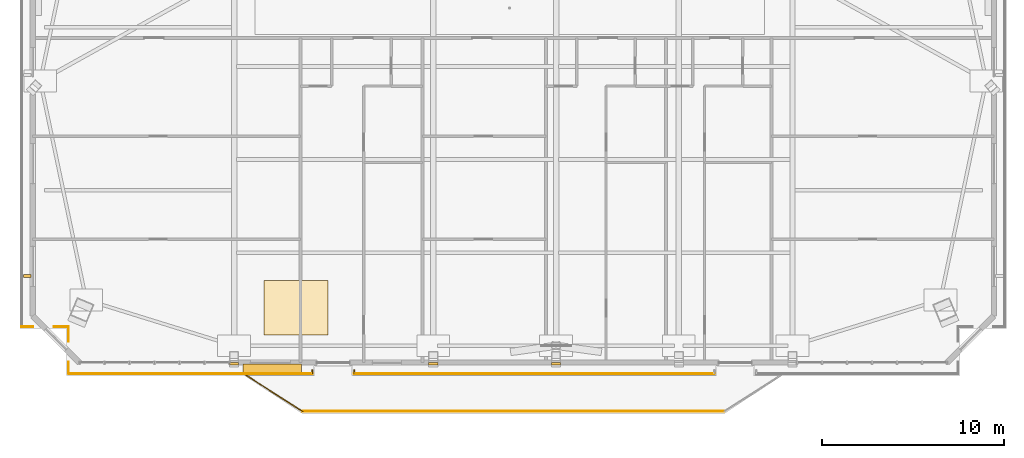
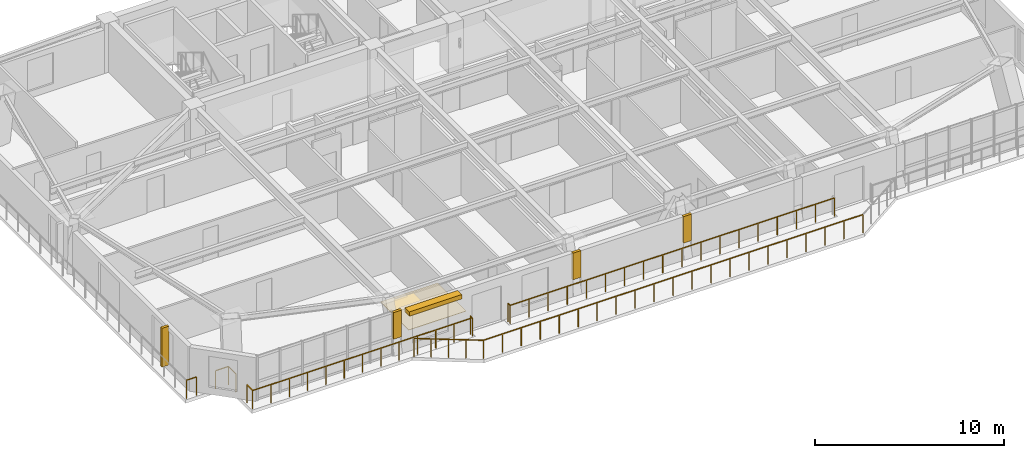
# One storey, part 14 of 18: 10 railings, 4 coverings, 2 shading devices.
"""IFC4 building model written with IfcOpenShell, lengths in metres."""

from ifc_helpers import new_model, si_unit, direction, frame, origin, origin_2d, place, context, subcontext, project, spatial, polyline, rectangle, outline, extrude, source, transform, mapped, material, layer, layer_set, type_object, element, save


model = new_model("IFC4")

# Units and contexts
model_context = context("Model", 3, precision=1e-05, world=origin(), true_north=direction((0.0, 1.0)))
body_context = subcontext(model_context, "Body", "Model", "MODEL_VIEW")
ifc_project = project(units=[si_unit("LENGTHUNIT", "METRE"), si_unit("AREAUNIT", "SQUARE_METRE"), si_unit("VOLUMEUNIT", "CUBIC_METRE"), si_unit("PLANEANGLEUNIT", "RADIAN"), si_unit("MASSUNIT", "GRAM", prefix="KILO")], contexts=[model_context])

# Site, building, storey
site_placement = place(None, origin())
site = spatial("IfcSite", under=ifc_project, at=site_placement, CompositionType="ELEMENT")
building_placement = place(site_placement, origin())
building = spatial("IfcBuilding", under=site, at=building_placement, Name="Giltprow Tower", CompositionType="ELEMENT")
storey_placement = place(building_placement, frame((0.0, 0.0, 265.5)))
storey = spatial("IfcBuildingStorey", under=building, at=storey_placement, Name="L68", CompositionType="ELEMENT", Elevation=265.5)

# Coverings
ifc_material_1 = material(Name="Engineered oak", Category="wood")
ifc_layer_1 = layer(ifc_material_1, 0.02490234375, Name="Engineered oak")
ifc_layer_set_1 = layer_set([ifc_layer_1], Name="Engineered oak")
covering_type_1 = type_object("IfcCoveringType", Name="COV-FLR-TIMBER", PredefinedType="FLOORING", material=ifc_layer_set_1)
covering_1_placement = place(storey_placement, origin())
element("IfcCovering", 1, at=covering_1_placement, inside=storey, type_object=covering_type_1, Name="L68 Residence Oak Parquet Flooring", PredefinedType="FLOORING", context=body_context, shape_type="SweptSolid", body=[
    extrude(outline(polyline([(21.5, 17.575927734375), (25.0, 17.575927734375), (25.0, 20.575927734375), (21.5, 20.575927734375), (21.5, 17.575927734375)])), origin(), (0.0, 0.0, 1.0), 0.02490234375),
])
ifc_material_2 = material(Name="Anodized bronze", Category="metal")
ifc_layer_2 = layer(ifc_material_2, 0.0400390625, Name="Anodized bronze")
ifc_layer_set_2 = layer_set([ifc_layer_2], Name="Anodized bronze")
covering_type_2 = type_object("IfcCoveringType", Name="COV-SOFFIT-BRONZE", PredefinedType="CLADDING", material=ifc_layer_set_2)
covering_2_placement = place(storey_placement, frame((0.0, 0.0, 1.10009765625)))
element("IfcCovering", 2, at=covering_2_placement, inside=storey, type_object=covering_type_2, Name="L68 Setback Pier Closure Cladding S-1", PredefinedType="CLADDING", context=body_context, shape_type="SweptSolid", body=[
    extrude(outline(polyline([(19.60009765625, 15.905029296875), (20.10009765625, 15.905029296875), (20.10009765625, 16.06494140625), (19.60009765625, 16.06494140625), (19.60009765625, 15.905029296875)])), origin(), (0.0, 0.0, 1.0), 1.71484375),
])
covering_3_placement = place(storey_placement, frame((0.0, 0.0, 1.10009765625)))
element("IfcCovering", 3, at=covering_3_placement, inside=storey, type_object=covering_type_2, Name="L68 Setback Pier Closure Cladding S-2", PredefinedType="CLADDING", context=body_context, shape_type="SweptSolid", body=[
    extrude(outline(polyline([(30.550048828125, 15.905029296875), (31.050048828125, 15.905029296875), (31.050048828125, 16.06494140625), (30.550048828125, 16.06494140625), (30.550048828125, 15.905029296875)])), origin(), (0.0, 0.0, 1.0), 1.71484375),
])
covering_4_placement = place(storey_placement, frame((0.0, 0.0, 1.10009765625)))
element("IfcCovering", 4, at=covering_4_placement, inside=storey, type_object=covering_type_2, Name="L68 Setback Pier Closure Cladding S-3", PredefinedType="CLADDING", context=body_context, shape_type="SweptSolid", body=[
    extrude(outline(polyline([(37.300048828125, 15.905029296875), (37.800048828125, 15.905029296875), (37.800048828125, 16.06494140625), (37.300048828125, 16.06494140625), (37.300048828125, 15.905029296875)])), origin(), (0.0, 0.0, 1.0), 1.71484375),
])

# Railings
railing_type = type_object("IfcRailingType", Name="RAIL-BALC-GUARD-1200", PredefinedType="BALUSTRADE", material=ifc_material_2)
railing_1_placement = place(storey_placement, frame((20.52001953125, 15.344970703125, 0.0)))
element("IfcRailing", 5, at=railing_1_placement, inside=storey, type_object=railing_type, Name="L68 Waterfront Balcony Balustrade Seg 1", PredefinedType="BALUSTRADE", context=body_context, shape_type="SweptSolid", body=[
    extrude(rectangle(XDim=0.048095703125, YDim=0.048095703125, at=origin_2d()), frame((0.0, 0.0, 1.17578125), z_axis=(0.84277487735, -0.538266203757, 0.0), x_axis=(0.538266203757, 0.84277487735, 0.0)), (0.0, 0.0, 1.0), 3.678466796875),
    extrude(rectangle(XDim=0.0419921875, YDim=0.0419921875, at=origin_2d()), origin(), (0.0, 0.0, 1.0), 1.15185546875),
    extrude(rectangle(XDim=0.0419921875, YDim=0.0419921875, at=origin_2d()), frame((0.77490234375, -0.4951171875, 0.0)), (0.0, 0.0, 1.0), 1.15185546875),
    extrude(rectangle(XDim=0.0419921875, YDim=0.0419921875, at=origin_2d()), frame((1.550048828125, -0.989990234375, 0.0)), (0.0, 0.0, 1.0), 1.15185546875),
    extrude(rectangle(XDim=0.0419921875, YDim=0.0419921875, at=origin_2d()), frame((2.3251953125, -1.48486328125, 0.0)), (0.0, 0.0, 1.0), 1.15185546875),
    extrude(rectangle(XDim=0.0419921875, YDim=0.0419921875, at=origin_2d()), frame((3.10009765625, -1.97998046875, 0.0)), (0.0, 0.0, 1.0), 1.15185546875),
])
railing_2_placement = place(storey_placement, frame((23.6201171875, 13.364990234375, 0.0)))
element("IfcRailing", 6, at=railing_2_placement, inside=storey, type_object=railing_type, Name="L68 Waterfront Balcony Balustrade Seg 2", PredefinedType="BALUSTRADE", context=body_context, shape_type="SweptSolid", body=[
    extrude(rectangle(XDim=0.048095703125, YDim=0.048095703125, at=origin_2d()), frame((0.0, 0.0, 1.17578125), z_axis=(1.0, 0.0, 0.0), x_axis=(0.0, 1.0, 0.0)), (0.0, 0.0, 1.0), 23.159912109375),
    extrude(rectangle(XDim=0.0419921875, YDim=0.0419921875, at=origin_2d()), origin(), (0.0, 0.0, 1.0), 1.15185546875),
    extrude(rectangle(XDim=0.0419921875, YDim=0.0419921875, at=origin_2d()), frame((1.157958984375, 0.0, 0.0)), (0.0, 0.0, 1.0), 1.15185546875),
    extrude(rectangle(XDim=0.0419921875, YDim=0.0419921875, at=origin_2d()), frame((2.31591796875, 0.0, 0.0)), (0.0, 0.0, 1.0), 1.15185546875),
    extrude(rectangle(XDim=0.0419921875, YDim=0.0419921875, at=origin_2d()), frame((3.473876953125, 0.0, 0.0)), (0.0, 0.0, 1.0), 1.15185546875),
    extrude(rectangle(XDim=0.0419921875, YDim=0.0419921875, at=origin_2d()), frame((4.632080078125, 0.0, 0.0)), (0.0, 0.0, 1.0), 1.15185546875),
    extrude(rectangle(XDim=0.0419921875, YDim=0.0419921875, at=origin_2d()), frame((5.7900390625, 0.0, 0.0)), (0.0, 0.0, 1.0), 1.15185546875),
    extrude(rectangle(XDim=0.0419921875, YDim=0.0419921875, at=origin_2d()), frame((6.947998046875, 0.0, 0.0)), (0.0, 0.0, 1.0), 1.15185546875),
    extrude(rectangle(XDim=0.0419921875, YDim=0.0419921875, at=origin_2d()), frame((8.10595703125, 0.0, 0.0)), (0.0, 0.0, 1.0), 1.15185546875),
    extrude(rectangle(XDim=0.0419921875, YDim=0.0419921875, at=origin_2d()), frame((9.263916015625, 0.0, 0.0)), (0.0, 0.0, 1.0), 1.15185546875),
    extrude(rectangle(XDim=0.0419921875, YDim=0.0419921875, at=origin_2d()), frame((10.421875, 0.0, 0.0)), (0.0, 0.0, 1.0), 1.15185546875),
    extrude(rectangle(XDim=0.0419921875, YDim=0.0419921875, at=origin_2d()), frame((11.580078125, 0.0, 0.0)), (0.0, 0.0, 1.0), 1.15185546875),
    extrude(rectangle(XDim=0.0419921875, YDim=0.0419921875, at=origin_2d()), frame((12.738037109375, 0.0, 0.0)), (0.0, 0.0, 1.0), 1.15185546875),
    extrude(rectangle(XDim=0.0419921875, YDim=0.0419921875, at=origin_2d()), frame((13.89599609375, 0.0, 0.0)), (0.0, 0.0, 1.0), 1.15185546875),
    extrude(rectangle(XDim=0.0419921875, YDim=0.0419921875, at=origin_2d()), frame((15.053955078125, 0.0, 0.0)), (0.0, 0.0, 1.0), 1.15185546875),
    extrude(rectangle(XDim=0.0419921875, YDim=0.0419921875, at=origin_2d()), frame((16.2119140625, 0.0, 0.0)), (0.0, 0.0, 1.0), 1.15185546875),
    extrude(rectangle(XDim=0.0419921875, YDim=0.0419921875, at=origin_2d()), frame((17.369873046875, 0.0, 0.0)), (0.0, 0.0, 1.0), 1.15185546875),
    extrude(rectangle(XDim=0.0419921875, YDim=0.0419921875, at=origin_2d()), frame((18.52783203125, 0.0, 0.0)), (0.0, 0.0, 1.0), 1.15185546875),
    extrude(rectangle(XDim=0.0419921875, YDim=0.0419921875, at=origin_2d()), frame((19.68603515625, 0.0, 0.0)), (0.0, 0.0, 1.0), 1.15185546875),
    extrude(rectangle(XDim=0.0419921875, YDim=0.0419921875, at=origin_2d()), frame((20.843994140625, 0.0, 0.0)), (0.0, 0.0, 1.0), 1.15185546875),
    extrude(rectangle(XDim=0.0419921875, YDim=0.0419921875, at=origin_2d()), frame((22.001953125, 0.0, 0.0)), (0.0, 0.0, 1.0), 1.15185546875),
    extrude(rectangle(XDim=0.0419921875, YDim=0.0419921875, at=origin_2d()), frame((23.159912109375, 0.0, 0.0)), (0.0, 0.0, 1.0), 1.15185546875),
])
railing_3_placement = place(storey_placement, frame((46.25, 15.445068359375, 0.0)))
element("IfcRailing", 7, at=railing_3_placement, inside=storey, type_object=railing_type, Name="L68 Corner Apron Edge Balustrade 9", PredefinedType="BALUSTRADE", context=body_context, shape_type="SweptSolid", body=[
    extrude(rectangle(XDim=0.048095703125, YDim=0.048095703125, at=origin_2d()), frame((0.0, 0.0, 1.17578125), z_axis=(-1.0, 0.0, 0.0), x_axis=(0.0, -1.0, 0.0)), (0.0, 0.0, 1.0), 19.800048828125),
    extrude(rectangle(XDim=0.0419921875, YDim=0.0419921875, at=origin_2d()), origin(), (0.0, 0.0, 1.0), 1.15185546875),
    extrude(rectangle(XDim=0.0419921875, YDim=0.0419921875, at=origin_2d()), frame((-1.164794921875, 0.0, 0.0)), (0.0, 0.0, 1.0), 1.15185546875),
    extrude(rectangle(XDim=0.0419921875, YDim=0.0419921875, at=origin_2d()), frame((-2.329345703125, 0.0, 0.0)), (0.0, 0.0, 1.0), 1.15185546875),
    extrude(rectangle(XDim=0.0419921875, YDim=0.0419921875, at=origin_2d()), frame((-3.494140625, 0.0, 0.0)), (0.0, 0.0, 1.0), 1.15185546875),
    extrude(rectangle(XDim=0.0419921875, YDim=0.0419921875, at=origin_2d()), frame((-4.658935546875, 0.0, 0.0)), (0.0, 0.0, 1.0), 1.15185546875),
    extrude(rectangle(XDim=0.0419921875, YDim=0.0419921875, at=origin_2d()), frame((-5.823486328125, 0.0, 0.0)), (0.0, 0.0, 1.0), 1.15185546875),
    extrude(rectangle(XDim=0.0419921875, YDim=0.0419921875, at=origin_2d()), frame((-6.98828125, 0.0, 0.0)), (0.0, 0.0, 1.0), 1.15185546875),
    extrude(rectangle(XDim=0.0419921875, YDim=0.0419921875, at=origin_2d()), frame((-8.153076171875, 0.0, 0.0)), (0.0, 0.0, 1.0), 1.15185546875),
    extrude(rectangle(XDim=0.0419921875, YDim=0.0419921875, at=origin_2d()), frame((-9.317626953125, 0.0, 0.0)), (0.0, 0.0, 1.0), 1.15185546875),
    extrude(rectangle(XDim=0.0419921875, YDim=0.0419921875, at=origin_2d()), frame((-10.482421875, 0.0, 0.0)), (0.0, 0.0, 1.0), 1.15185546875),
    extrude(rectangle(XDim=0.0419921875, YDim=0.0419921875, at=origin_2d()), frame((-11.64697265625, 0.0, 0.0)), (0.0, 0.0, 1.0), 1.15185546875),
    extrude(rectangle(XDim=0.0419921875, YDim=0.0419921875, at=origin_2d()), frame((-12.811767578125, 0.0, 0.0)), (0.0, 0.0, 1.0), 1.15185546875),
    extrude(rectangle(XDim=0.0419921875, YDim=0.0419921875, at=origin_2d()), frame((-13.9765625, 0.0, 0.0)), (0.0, 0.0, 1.0), 1.15185546875),
    extrude(rectangle(XDim=0.0419921875, YDim=0.0419921875, at=origin_2d()), frame((-15.14111328125, 0.0, 0.0)), (0.0, 0.0, 1.0), 1.15185546875),
    extrude(rectangle(XDim=0.0419921875, YDim=0.0419921875, at=origin_2d()), frame((-16.305908203125, 0.0, 0.0)), (0.0, 0.0, 1.0), 1.15185546875),
    extrude(rectangle(XDim=0.0419921875, YDim=0.0419921875, at=origin_2d()), frame((-17.470703125, 0.0, 0.0)), (0.0, 0.0, 1.0), 1.15185546875),
    extrude(rectangle(XDim=0.0419921875, YDim=0.0419921875, at=origin_2d()), frame((-18.63525390625, 0.0, 0.0)), (0.0, 0.0, 1.0), 1.15185546875),
    extrude(rectangle(XDim=0.0419921875, YDim=0.0419921875, at=origin_2d()), frame((-19.800048828125, 0.0, 0.0)), (0.0, 0.0, 1.0), 1.15185546875),
])
railing_4_placement = place(storey_placement, frame((26.449951171875, 15.445068359375, 0.0)))
element("IfcRailing", 8, at=railing_4_placement, inside=storey, type_object=railing_type, Name="L68 Corner Apron Edge Balustrade 10", PredefinedType="BALUSTRADE", context=body_context, shape_type="SweptSolid", body=[
    extrude(rectangle(XDim=0.048095703125, YDim=0.048095703125, at=origin_2d()), frame((0.0, 0.0, 1.17578125), z_axis=(0.0, 1.0, 0.0), x_axis=(-1.0, 0.0, 0.0)), (0.0, 0.0, 1.0), 0.199951171875),
    extrude(rectangle(XDim=0.0419921875, YDim=0.0419921875, at=origin_2d()), origin(), (0.0, 0.0, 1.0), 1.15185546875),
    extrude(rectangle(XDim=0.0419921875, YDim=0.0419921875, at=origin_2d()), frame((0.0, 0.199951171875, 0.0)), (0.0, 0.0, 1.0), 1.15185546875),
])
railing_5_placement = place(storey_placement, frame((24.14990234375, 15.64501953125, 0.0)))
element("IfcRailing", 9, at=railing_5_placement, inside=storey, type_object=railing_type, Name="L68 Corner Apron Edge Balustrade 11", PredefinedType="BALUSTRADE", context=body_context, shape_type="SweptSolid", body=[
    extrude(rectangle(XDim=0.048095703125, YDim=0.048095703125, at=origin_2d()), frame((0.0, 0.0, 1.17578125), z_axis=(0.0, -1.0, 0.0), x_axis=(1.0, 0.0, 0.0)), (0.0, 0.0, 1.0), 0.199951171875),
    extrude(rectangle(XDim=0.0419921875, YDim=0.0419921875, at=origin_2d()), origin(), (0.0, 0.0, 1.0), 1.15185546875),
    extrude(rectangle(XDim=0.0419921875, YDim=0.0419921875, at=origin_2d()), frame((0.0, -0.199951171875, 0.0)), (0.0, 0.0, 1.0), 1.15185546875),
])
railing_6_placement = place(storey_placement, frame((24.14990234375, 15.445068359375, 0.0)))
element("IfcRailing", 10, at=railing_6_placement, inside=storey, type_object=railing_type, Name="L68 Corner Apron Edge Balustrade 12", PredefinedType="BALUSTRADE", context=body_context, shape_type="SweptSolid", body=[
    extrude(rectangle(XDim=0.048095703125, YDim=0.048095703125, at=origin_2d()), frame((0.0, 0.0, 1.17578125), z_axis=(-1.0, 0.0, 0.0), x_axis=(0.0, -1.0, 0.0)), (0.0, 0.0, 1.0), 13.40185546875),
    extrude(rectangle(XDim=0.0419921875, YDim=0.0419921875, at=origin_2d()), origin(), (0.0, 0.0, 1.0), 1.15185546875),
    extrude(rectangle(XDim=0.0419921875, YDim=0.0419921875, at=origin_2d()), frame((-1.11669921875, 0.0, 0.0)), (0.0, 0.0, 1.0), 1.15185546875),
    extrude(rectangle(XDim=0.0419921875, YDim=0.0419921875, at=origin_2d()), frame((-2.233642578125, 0.0, 0.0)), (0.0, 0.0, 1.0), 1.15185546875),
    extrude(rectangle(XDim=0.0419921875, YDim=0.0419921875, at=origin_2d()), frame((-3.3505859375, 0.0, 0.0)), (0.0, 0.0, 1.0), 1.15185546875),
    extrude(rectangle(XDim=0.0419921875, YDim=0.0419921875, at=origin_2d()), frame((-4.46728515625, 0.0, 0.0)), (0.0, 0.0, 1.0), 1.15185546875),
    extrude(rectangle(XDim=0.0419921875, YDim=0.0419921875, at=origin_2d()), frame((-5.583984375, 0.0, 0.0)), (0.0, 0.0, 1.0), 1.15185546875),
    extrude(rectangle(XDim=0.0419921875, YDim=0.0419921875, at=origin_2d()), frame((-6.700927734375, 0.0, 0.0)), (0.0, 0.0, 1.0), 1.15185546875),
    extrude(rectangle(XDim=0.0419921875, YDim=0.0419921875, at=origin_2d()), frame((-7.81787109375, 0.0, 0.0)), (0.0, 0.0, 1.0), 1.15185546875),
    extrude(rectangle(XDim=0.0419921875, YDim=0.0419921875, at=origin_2d()), frame((-8.9345703125, 0.0, 0.0)), (0.0, 0.0, 1.0), 1.15185546875),
    extrude(rectangle(XDim=0.0419921875, YDim=0.0419921875, at=origin_2d()), frame((-10.05126953125, 0.0, 0.0)), (0.0, 0.0, 1.0), 1.15185546875),
    extrude(rectangle(XDim=0.0419921875, YDim=0.0419921875, at=origin_2d()), frame((-11.168212890625, 0.0, 0.0)), (0.0, 0.0, 1.0), 1.15185546875),
    extrude(rectangle(XDim=0.0419921875, YDim=0.0419921875, at=origin_2d()), frame((-12.28515625, 0.0, 0.0)), (0.0, 0.0, 1.0), 1.15185546875),
    extrude(rectangle(XDim=0.0419921875, YDim=0.0419921875, at=origin_2d()), frame((-13.40185546875, 0.0, 0.0)), (0.0, 0.0, 1.0), 1.15185546875),
])
railing_7_placement = place(storey_placement, frame((10.748046875, 15.445068359375, 0.0)))
element("IfcRailing", 11, at=railing_7_placement, inside=storey, type_object=railing_type, Name="L68 Corner Apron Edge Balustrade 13", PredefinedType="BALUSTRADE", context=body_context, shape_type="SweptSolid", body=[
    extrude(rectangle(XDim=0.048095703125, YDim=0.048095703125, at=origin_2d()), frame((0.0, 0.0, 1.17578125), z_axis=(0.0, 1.0, 0.0), x_axis=(-1.0, 0.0, 0.0)), (0.0, 0.0, 1.0), 0.619873046875),
    extrude(rectangle(XDim=0.0419921875, YDim=0.0419921875, at=origin_2d()), origin(), (0.0, 0.0, 1.0), 1.15185546875),
    extrude(rectangle(XDim=0.0419921875, YDim=0.0419921875, at=origin_2d()), frame((0.0, 0.619873046875, 0.0)), (0.0, 0.0, 1.0), 1.15185546875),
])
railing_8_placement = place(storey_placement, frame((10.748046875, 17.22509765625, 0.0)))
element("IfcRailing", 12, at=railing_8_placement, inside=storey, type_object=railing_type, Name="L68 Corner Apron Edge Balustrade 14", PredefinedType="BALUSTRADE", context=body_context, shape_type="SweptSolid", body=[
    extrude(rectangle(XDim=0.048095703125, YDim=0.048095703125, at=origin_2d()), frame((0.0, 0.0, 1.17578125), z_axis=(0.0, 1.0, 0.0), x_axis=(-1.0, 0.0, 0.0)), (0.0, 0.0, 1.0), 0.787841796875),
    extrude(rectangle(XDim=0.0419921875, YDim=0.0419921875, at=origin_2d()), origin(), (0.0, 0.0, 1.0), 1.15185546875),
    extrude(rectangle(XDim=0.0419921875, YDim=0.0419921875, at=origin_2d()), frame((0.0, 0.787841796875, 0.0)), (0.0, 0.0, 1.0), 1.15185546875),
])
railing_9_placement = place(storey_placement, frame((10.748046875, 18.012939453125, 0.0)))
element("IfcRailing", 13, at=railing_9_placement, inside=storey, type_object=railing_type, Name="L68 Corner Apron Edge Balustrade 15", PredefinedType="BALUSTRADE", context=body_context, shape_type="SweptSolid", body=[
    extrude(rectangle(XDim=0.048095703125, YDim=0.048095703125, at=origin_2d()), frame((0.0, 0.0, 1.17578125), z_axis=(-1.0, 0.0, 0.0), x_axis=(0.0, -1.0, 0.0)), (0.0, 0.0, 1.0), 0.7880859375),
    extrude(rectangle(XDim=0.0419921875, YDim=0.0419921875, at=origin_2d()), origin(), (0.0, 0.0, 1.0), 1.15185546875),
    extrude(rectangle(XDim=0.0419921875, YDim=0.0419921875, at=origin_2d()), frame((-0.7880859375, 0.0, 0.0)), (0.0, 0.0, 1.0), 1.15185546875),
])
railing_10_placement = place(storey_placement, frame((8.800048828125, 18.012939453125, 0.0)))
element("IfcRailing", 14, at=railing_10_placement, inside=storey, type_object=railing_type, Name="L68 Corner Apron Edge Balustrade 16", PredefinedType="BALUSTRADE", context=body_context, shape_type="SweptSolid", body=[
    extrude(rectangle(XDim=0.048095703125, YDim=0.048095703125, at=origin_2d()), frame((0.0, 0.0, 1.17578125), z_axis=(-1.0, 0.0, 0.0), x_axis=(0.0, -1.0, 0.0)), (0.0, 0.0, 1.0), 0.62109375),
    extrude(rectangle(XDim=0.0419921875, YDim=0.0419921875, at=origin_2d()), origin(), (0.0, 0.0, 1.0), 1.15185546875),
    extrude(rectangle(XDim=0.0419921875, YDim=0.0419921875, at=origin_2d()), frame((-0.62109375, 0.0, 0.0)), (0.0, 0.0, 1.0), 1.15185546875),
])

# Shading devices
shading_device_type_1 = type_object("IfcShadingDeviceType", Name="SHD-FIN-420", PredefinedType="USERDEFINED", material=ifc_material_2)
shared_shape_1 = source(origin(), body_context, "Body", "SweptSolid", [
    extrude(rectangle(XDim=0.419921875, YDim=0.159912109375, at=origin_2d()), origin(), (0.0, 0.0, 1.0), 2.5),
])
shading_device_1_placement = place(storey_placement, frame((8.47900390625, 20.80810546875, 0.35009765625), z_axis=(0.0, 0.0, 1.0), x_axis=(1.0, 0.0, 0.0)))
element("IfcShadingDevice", 15, at=shading_device_1_placement, inside=storey, type_object=shading_device_type_1, Name="L68 W Bronze Vertical Fin 1-1", ObjectType="FIN", PredefinedType="USERDEFINED", context=body_context, shape_type="MappedRepresentation", body=[
    mapped(shared_shape_1, transform((0.0, 0.0, 0.0), x_axis=(1.0, 0.0, 0.0), y_axis=(0.0, 1.0, 0.0), z_axis=(0.0, 0.0, 1.0), scale=1.0)),
])
shading_device_type_2 = type_object("IfcShadingDeviceType", Name="SHD-LOUVRE-320", PredefinedType="JALOUSIE", material=ifc_material_2)
shared_shape_2 = source(origin(), body_context, "Body", "SweptSolid", [
    extrude(rectangle(XDim=3.199951171875, YDim=0.449951171875, at=origin_2d()), origin(), (0.0, 0.0, 1.0), 0.280029296875),
])
shading_device_2_placement = place(storey_placement, frame((21.949951171875, 15.7451171875, 2.56005859375), z_axis=(0.0, 0.0, 1.0), x_axis=(1.0, 0.0, 0.0)))
element("IfcShadingDevice", 16, at=shading_device_2_placement, inside=storey, type_object=shading_device_type_2, Name="L68 Bronze Sunshade Louvre S-2", PredefinedType="JALOUSIE", context=body_context, shape_type="MappedRepresentation", body=[
    mapped(shared_shape_2, transform((0.0, 0.0, 0.0), x_axis=(1.0, 0.0, 0.0), y_axis=(0.0, 1.0, 0.0), z_axis=(0.0, 0.0, 1.0), scale=1.0)),
])

save(model, "model.ifc")
